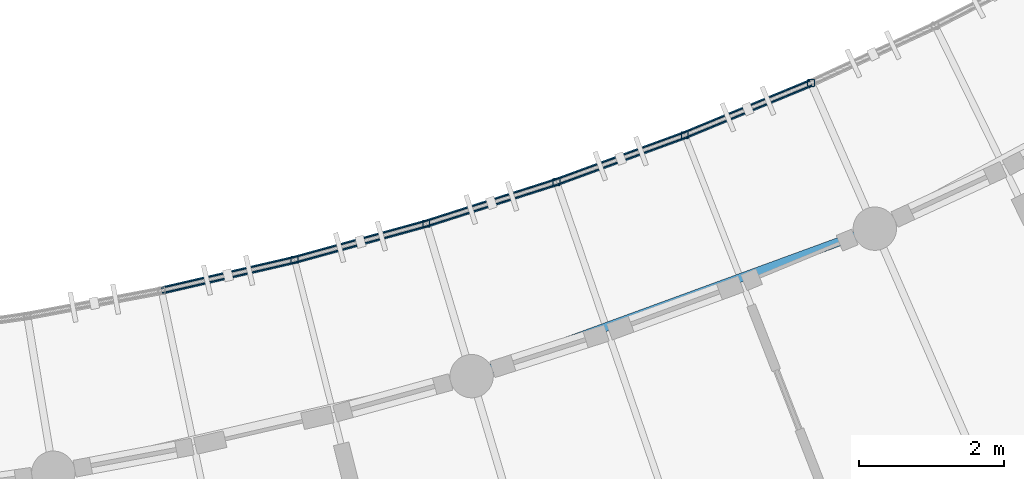
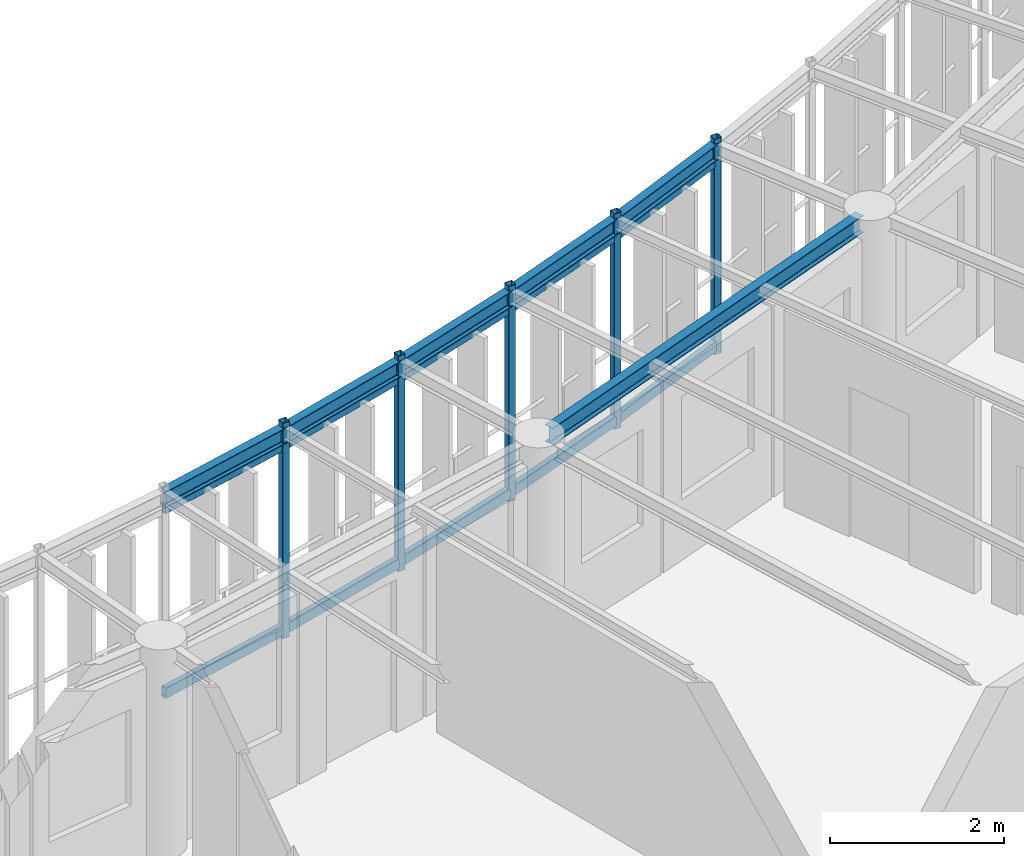
# One storey, part 20 of 100: 15 members, 6 beams.
"""IFC4 building model written with IfcOpenShell, lengths in metres."""

import ifcopenshell
import ifcopenshell.guid

model = None  # the IFC model being written
_history = None  # IfcOwnerHistory: only IFC2X3 demands one
_inside = {}  # id of a spatial element -> (the spatial element, [elements in it])
_under = {}  # id of a project, library or spatial element -> (it, [spatial elements below it])
_declared = {}  # id of a project -> (the project, [libraries it declares])
_typed = {}  # id of a type object -> (the type object, [elements of that type])
_made_of = {}  # id of a material, layer set ... -> (it, [elements and type objects made of it])


def new_model(schema):
    """Start an empty IFC model of exactly this schema.

    Asked for "IFC4X3", IfcOpenShell would pick the latest addendum, in which some entities
    have other attributes; the version numbers below select the first issue.
    IFC2X3 requires an IfcOwnerHistory on every rooted entity: one is made here for all.
    """
    global model, _history
    if schema == "IFC4X3":
        model = ifcopenshell.file(schema_version=(4, 3, 0, 0))
    else:
        model = ifcopenshell.file(schema=schema)
    _inside.clear()
    _under.clear()
    _declared.clear()
    _typed.clear()
    _made_of.clear()
    _history = None
    if model.schema == "IFC2X3":
        org = make("IfcOrganization", Name="unknown")
        user = make(
            "IfcPersonAndOrganization",
            ThePerson=make("IfcPerson", FamilyName="unknown"),
            TheOrganization=org,
        )
        app = make(
            "IfcApplication",
            ApplicationDeveloper=org,
            Version="unknown",
            ApplicationFullName="unknown",
            ApplicationIdentifier="unknown",
        )
        _history = make(
            "IfcOwnerHistory",
            OwningUser=user,
            OwningApplication=app,
            ChangeAction="ADDED",
            CreationDate=0,
        )
    return model


def make(cls, **values):
    """One entity of the class cls with the attributes given. An attribute that is None is left unset."""
    return model.create_entity(
        cls, **{name: value for name, value in values.items() if value is not None}
    )


def rooted(cls, **values):
    """An entity with a GlobalId (a new one), such as an element, a storey or a relation."""
    return make(cls, GlobalId=ifcopenshell.guid.new(), OwnerHistory=_history, **values)


def si_unit(unit_type, name, prefix=None):
    """IfcSIUnit, for example si_unit("LENGTHUNIT", "METRE", prefix="MILLI")."""
    return make("IfcSIUnit", UnitType=unit_type, Prefix=prefix, Name=name)


def assignment(units):
    """IfcUnitAssignment: the units of a project."""
    return None if units is None else make("IfcUnitAssignment", Units=units)


def point(xyz):
    """IfcCartesianPoint."""
    return None if xyz is None else make("IfcCartesianPoint", Coordinates=xyz)


def direction(xyz):
    """IfcDirection."""
    return None if xyz is None else make("IfcDirection", DirectionRatios=xyz)


def frame(location, z_axis=None, x_axis=None):
    """IfcAxis2Placement3D, a coordinate frame: its origin and axes. An axis left out is left unset."""
    return make(
        "IfcAxis2Placement3D",
        Location=point(location),
        Axis=direction(z_axis),
        RefDirection=direction(x_axis),
    )


def frame_2d(location, x_axis=None):
    """IfcAxis2Placement2D, a coordinate frame in the plane: its origin and x axis."""
    return make(
        "IfcAxis2Placement2D", Location=point(location), RefDirection=direction(x_axis)
    )


def origin():
    """The frame at (0, 0, 0) with its axes left unset."""
    return frame((0.0, 0.0, 0.0))


def origin_2d():
    """The frame at (0, 0) in the plane with its x axis left unset."""
    return frame_2d((0.0, 0.0))


def place(relative_to, where):
    """IfcLocalPlacement: puts the frame where relative to a parent placement (None: the world)."""
    return make(
        "IfcLocalPlacement", PlacementRelTo=relative_to, RelativePlacement=where
    )


def context(
    kind, dimensions, precision=None, world=None, true_north=None, identifier=None
):
    """IfcGeometricRepresentationContext, for example the 3D "Model" context."""
    return make(
        "IfcGeometricRepresentationContext",
        ContextIdentifier=identifier,
        ContextType=kind,
        CoordinateSpaceDimension=dimensions,
        Precision=precision,
        WorldCoordinateSystem=world,
        TrueNorth=true_north,
    )


def subcontext(parent, identifier, kind, view, scale=None):
    """IfcGeometricRepresentationSubContext, for example "Body" below "Model"."""
    return make(
        "IfcGeometricRepresentationSubContext",
        ContextIdentifier=identifier,
        ContextType=kind,
        ParentContext=parent,
        TargetScale=scale,
        TargetView=view,
    )


def project(units=None, contexts=None):
    """IfcProject with its units and contexts."""
    return rooted(
        "IfcProject",
        Name="project",
        RepresentationContexts=contexts,
        UnitsInContext=assignment(units),
    )


def spatial(cls, under=None, at=None, **own):
    """A site, building, storey or space (cls), placed at a placement, below another one or the project."""
    s = rooted(cls, ObjectPlacement=at, **own)
    if under is not None:
        _under.setdefault(under.id(), (under, []))[1].append(s)
    return s


def profile(cls, at=None, kind="AREA", **sizes):
    """A parametric profile (cls). Its sizes go by their IFC names, for example OverallWidth=200.0."""
    return make(cls, ProfileType=kind, Position=at, **sizes)


def hollow_rectangle(**sizes):
    """IfcRectangleHollowProfileDef."""
    return profile("IfcRectangleHollowProfileDef", **sizes)


def i_section(**sizes):
    """IfcIShapeProfileDef."""
    return profile("IfcIShapeProfileDef", **sizes)


def extrude(swept, where, along, depth):
    """IfcExtrudedAreaSolid: the profile swept, set in the frame where, extruded along a direction by depth."""
    return make(
        "IfcExtrudedAreaSolid",
        SweptArea=swept,
        Position=where,
        ExtrudedDirection=direction(along),
        Depth=depth,
    )


def shape(context_of_items, identifier, shape_type, items):
    """IfcShapeRepresentation: the items that make up one representation, for example the "Body"."""
    return make(
        "IfcShapeRepresentation",
        ContextOfItems=context_of_items,
        RepresentationIdentifier=identifier,
        RepresentationType=shape_type,
        Items=items,
    )


def material(Name=None, Category=None):
    """IfcMaterial."""
    return make("IfcMaterial", Name=Name, Category=Category)


def material_profile(
    of_material, cross_section, Name=None, Category=None, Priority=None
):
    """IfcMaterialProfile: a cross section and its material."""
    return make(
        "IfcMaterialProfile",
        Name=Name,
        Material=of_material,
        Profile=cross_section,
        Priority=Priority,
        Category=Category,
    )


def profile_set(profiles, Name=None, composite=None):
    """IfcMaterialProfileSet."""
    return make(
        "IfcMaterialProfileSet",
        Name=Name,
        MaterialProfiles=profiles,
        CompositeProfile=composite,
    )


def made_of(thing, what):
    """Note that an element or type object is made of a material, layer set ...; save() writes the relation."""
    if what is not None:
        _made_of.setdefault(what.id(), (what, []))[1].append(thing)
    return thing


def type_object(cls, material=None, **own):
    """A type object (cls), such as IfcWallType, which elements share."""
    return made_of(rooted(cls, **own), material)


def element(
    cls,
    number,
    at=None,
    inside=None,
    cuts=None,
    type_object=None,
    material=None,
    context=None,
    identifier="Body",
    shape_type=None,
    held_by="IfcProductDefinitionShape",
    body=None,
    shapes=None,
    **own,
):
    """One element of the class cls, such as IfcWall. Its Tag is "e" and its number.

    at: its placement. inside: the storey or other place that contains it. cuts: it is an
    opening in that element (IfcRelVoidsElement). A single representation is given by context,
    identifier, shape_type and body (its items); several are given by shapes. held_by: the class
    of the entity that holds the representations. save() writes the other relations.
    """
    e = rooted(cls, Tag="e%d" % number, ObjectPlacement=at, **own)
    if body is not None:
        shapes = [shape(context, identifier, shape_type, body)]
    if shapes is not None:
        e.Representation = make(held_by, Representations=shapes)
    if inside is not None:
        _inside.setdefault(inside.id(), (inside, []))[1].append(e)
    if cuts is not None:
        rooted(
            "IfcRelVoidsElement", RelatingBuildingElement=cuts, RelatedOpeningElement=e
        )
    if type_object is not None:
        _typed.setdefault(type_object.id(), (type_object, []))[1].append(e)
    return made_of(e, material)


def aggregate(whole, parts):
    """IfcRelAggregates: a whole, such as a stair, and the parts it consists of."""
    return rooted("IfcRelAggregates", RelatingObject=whole, RelatedObjects=parts)


def save(model, path):
    """Write the relations noted so far, then the file.

    IfcRelAggregates (storeys below a building ...), IfcRelContainedInSpatialStructure (elements
    in a storey), IfcRelDefinesByType, IfcRelAssociatesMaterial and IfcRelDeclares: one each for
    every whole, place, type object, material and project.
    """
    for whole, parts in _under.values():
        aggregate(whole, parts)
    for where, things in _inside.values():
        rooted(
            "IfcRelContainedInSpatialStructure",
            RelatedElements=things,
            RelatingStructure=where,
        )
    for kind, things in _typed.values():
        rooted("IfcRelDefinesByType", RelatedObjects=things, RelatingType=kind)
    for what, things in _made_of.values():
        rooted("IfcRelAssociatesMaterial", RelatedObjects=things, RelatingMaterial=what)
    for by, libraries in _declared.values():
        rooted("IfcRelDeclares", RelatingContext=by, RelatedDefinitions=libraries)
    model.write(path)


model = new_model("IFC4")

# Units and contexts
model_context = context("Model", 3, precision=1e-05, world=origin(), true_north=direction((0.0, 1.0)))
body_context = subcontext(model_context, "Body", "Model", "MODEL_VIEW")
ifc_project = project(units=[si_unit("LENGTHUNIT", "METRE"), si_unit("AREAUNIT", "SQUARE_METRE"), si_unit("VOLUMEUNIT", "CUBIC_METRE"), si_unit("PLANEANGLEUNIT", "RADIAN"), si_unit("MASSUNIT", "GRAM", prefix="KILO"), si_unit("POWERUNIT", "WATT"), si_unit("THERMODYNAMICTEMPERATUREUNIT", "KELVIN")], contexts=[model_context])

# Site, building, storey
site_placement = place(None, origin())
site = spatial("IfcSite", under=ifc_project, at=site_placement, CompositionType="ELEMENT")
building_placement = place(site_placement, origin())
building = spatial("IfcBuilding", under=site, at=building_placement, Name="Ruvembo Vaulted Housing Court", CompositionType="ELEMENT")
storey_placement = place(building_placement, frame((0.0, 0.0, 14.10009765625)))
storey = spatial("IfcBuildingStorey", under=building, at=storey_placement, Name="L04", CompositionType="ELEMENT", Elevation=14.10009765625)

# Beams
ifc_material = material(Name="Steel S355J2", Category="steel")
ifc_material_profile_1 = material_profile(ifc_material, i_section(OverallWidth=0.110107421875, OverallDepth=0.219970703125, WebThickness=0.005859375, FlangeThickness=0.00927734375, FilletRadius=0.011962890625, at=origin_2d()), Name="IPE 220")
ifc_profile_set_1 = profile_set([ifc_material_profile_1], Name="Steel S355J2")
beam_type_1 = type_object("IfcBeamType", Name="BM-ST-IPE220", PredefinedType="SPANDREL", material=ifc_profile_set_1)
beam_1_placement = place(storey_placement, frame((78.380126953125, 17.1708984375, 2.829833984375), z_axis=(0.974391195695, 0.224859506699, 0.0), x_axis=(-0.224859506699, 0.974391195695, 0.0)))
element("IfcBeam", 1, at=beam_1_placement, inside=storey, type_object=beam_type_1, Name="Scoop SC2 L04 Balcony Edge Spandrel 19", PredefinedType="SPANDREL", context=body_context, shape_type="SweptSolid", body=[
    extrude(i_section(OverallWidth=0.110107421875, OverallDepth=0.219970703125, WebThickness=0.005859375, FlangeThickness=0.00927734375, FilletRadius=0.011962890625, at=origin_2d()), origin(), (0.0, 0.0, 1.0), 1.88916015625),
])
beam_2_placement = place(storey_placement, frame((80.220947265625, 17.595703125, 2.829833984375), z_axis=(0.964240073493, 0.26503033915, 0.0), x_axis=(-0.26503033915, 0.964240073493, 0.0)))
element("IfcBeam", 2, at=beam_2_placement, inside=storey, type_object=beam_type_1, Name="Scoop SC2 L04 Balcony Edge Spandrel 20", PredefinedType="SPANDREL", context=body_context, shape_type="SweptSolid", body=[
    extrude(i_section(OverallWidth=0.110107421875, OverallDepth=0.219970703125, WebThickness=0.005859375, FlangeThickness=0.00927734375, FilletRadius=0.011962890625, at=origin_2d()), origin(), (0.0, 0.0, 1.0), 1.889404296875),
])
beam_3_placement = place(storey_placement, frame((82.042724609375, 18.096435546875, 2.829833984375), z_axis=(0.952526124364, 0.304456864605, 0.0), x_axis=(-0.304456864605, 0.952526124364, 0.0)))
element("IfcBeam", 3, at=beam_3_placement, inside=storey, type_object=beam_type_1, Name="Scoop SC2 L04 Balcony Edge Spandrel 21", PredefinedType="SPANDREL", context=body_context, shape_type="SweptSolid", body=[
    extrude(i_section(OverallWidth=0.110107421875, OverallDepth=0.219970703125, WebThickness=0.005859375, FlangeThickness=0.00927734375, FilletRadius=0.011962890625, at=origin_2d()), origin(), (0.0, 0.0, 1.0), 1.88916015625),
])
beam_4_placement = place(storey_placement, frame((83.84228515625, 18.671630859375, 2.829833984375), z_axis=(0.939165556371, 0.343464783824, 0.0), x_axis=(-0.343464783824, 0.939165556371, 0.0)))
element("IfcBeam", 4, at=beam_4_placement, inside=storey, type_object=beam_type_1, Name="Scoop SC2 L04 Balcony Edge Spandrel 22", PredefinedType="SPANDREL", context=body_context, shape_type="SweptSolid", body=[
    extrude(i_section(OverallWidth=0.110107421875, OverallDepth=0.219970703125, WebThickness=0.005859375, FlangeThickness=0.00927734375, FilletRadius=0.011962890625, at=origin_2d()), origin(), (0.0, 0.0, 1.0), 1.889404296875),
])
beam_5_placement = place(storey_placement, frame((85.61669921875, 19.320556640625, 2.829833984375), z_axis=(0.924155321549, 0.38201693896, 0.0), x_axis=(-0.38201693896, 0.924155321549, 0.0)))
element("IfcBeam", 5, at=beam_5_placement, inside=storey, type_object=beam_type_1, Name="Scoop SC2 L04 Balcony Edge Spandrel 23", PredefinedType="SPANDREL", context=body_context, shape_type="SweptSolid", body=[
    extrude(i_section(OverallWidth=0.110107421875, OverallDepth=0.219970703125, WebThickness=0.005859375, FlangeThickness=0.00927734375, FilletRadius=0.011962890625, at=origin_2d()), origin(), (0.0, 0.0, 1.0), 1.88916015625),
])
ifc_material_profile_2 = material_profile(ifc_material, i_section(OverallWidth=0.1201171875, OverallDepth=0.239990234375, WebThickness=0.006103515625, FlangeThickness=0.009765625, FilletRadius=0.014892578125, at=origin_2d()), Name="IPE 240")
ifc_profile_set_2 = profile_set([ifc_material_profile_2], Name="Steel S355J2")
beam_type_2 = type_object("IfcBeamType", Name="BM-ST-IPE240", PredefinedType="BEAM", material=ifc_profile_set_2)
beam_6_placement = place(storey_placement, frame((82.84765625, 16.052734375, 2.822021484375), z_axis=(0.939158115171, 0.343485130259, 0.0), x_axis=(-0.343485130259, 0.939158115171, 0.0)))
element("IfcBeam", 6, at=beam_6_placement, inside=storey, type_object=beam_type_2, Name="Scoop SC2 L04 Chord Girder F21", PredefinedType="BEAM", context=body_context, shape_type="SweptSolid", body=[
    extrude(i_section(OverallWidth=0.1201171875, OverallDepth=0.239990234375, WebThickness=0.006103515625, FlangeThickness=0.009765625, FilletRadius=0.014892578125, at=origin_2d()), origin(), (0.0, 0.0, 1.0), 5.556884765625),
])

# Members
ifc_material_profile_3 = material_profile(ifc_material, hollow_rectangle(XDim=0.06005859375, YDim=0.1201171875, WallThickness=0.0048828125, InnerFilletRadius=0.0048828125, OuterFilletRadius=0.010009765625, at=origin_2d()), Name="RHS 120x60x5")
ifc_profile_set_3 = profile_set([ifc_material_profile_3], Name="Steel S355J2")
member_type_1 = type_object("IfcMemberType", Name="MEM-CAR-RHS120", PredefinedType="CHORD", material=ifc_profile_set_3)
member_1_placement = place(storey_placement, frame((78.380126953125, 17.1708984375, 2.662841796875), z_axis=(0.974391195695, 0.224859506699, 0.0), x_axis=(-0.224859506699, 0.974391195695, 0.0)))
element("IfcMember", 7, at=member_1_placement, inside=storey, type_object=member_type_1, Name="Scoop SC2 L04 Upper Louvre Carrier Rail 19", PredefinedType="CHORD", context=body_context, shape_type="SweptSolid", body=[
    extrude(hollow_rectangle(XDim=0.06005859375, YDim=0.1201171875, WallThickness=0.0048828125, InnerFilletRadius=0.0048828125, OuterFilletRadius=0.010009765625, at=origin_2d()), origin(), (0.0, 0.0, 1.0), 1.88916015625),
])
member_2_placement = place(storey_placement, frame((80.220947265625, 17.595703125, 2.662841796875), z_axis=(0.964240073493, 0.26503033915, 0.0), x_axis=(-0.26503033915, 0.964240073493, 0.0)))
element("IfcMember", 8, at=member_2_placement, inside=storey, type_object=member_type_1, Name="Scoop SC2 L04 Upper Louvre Carrier Rail 20", PredefinedType="CHORD", context=body_context, shape_type="SweptSolid", body=[
    extrude(hollow_rectangle(XDim=0.06005859375, YDim=0.1201171875, WallThickness=0.0048828125, InnerFilletRadius=0.0048828125, OuterFilletRadius=0.010009765625, at=origin_2d()), origin(), (0.0, 0.0, 1.0), 1.889404296875),
])
member_3_placement = place(storey_placement, frame((82.042724609375, 18.096435546875, 2.662841796875), z_axis=(0.952526124364, 0.304456864605, 0.0), x_axis=(-0.304456864605, 0.952526124364, 0.0)))
element("IfcMember", 9, at=member_3_placement, inside=storey, type_object=member_type_1, Name="Scoop SC2 L04 Upper Louvre Carrier Rail 21", PredefinedType="CHORD", context=body_context, shape_type="SweptSolid", body=[
    extrude(hollow_rectangle(XDim=0.06005859375, YDim=0.1201171875, WallThickness=0.0048828125, InnerFilletRadius=0.0048828125, OuterFilletRadius=0.010009765625, at=origin_2d()), origin(), (0.0, 0.0, 1.0), 1.88916015625),
])
member_4_placement = place(storey_placement, frame((83.84228515625, 18.671630859375, 2.662841796875), z_axis=(0.939165556371, 0.343464783824, 0.0), x_axis=(-0.343464783824, 0.939165556371, 0.0)))
element("IfcMember", 10, at=member_4_placement, inside=storey, type_object=member_type_1, Name="Scoop SC2 L04 Upper Louvre Carrier Rail 22", PredefinedType="CHORD", context=body_context, shape_type="SweptSolid", body=[
    extrude(hollow_rectangle(XDim=0.06005859375, YDim=0.1201171875, WallThickness=0.0048828125, InnerFilletRadius=0.0048828125, OuterFilletRadius=0.010009765625, at=origin_2d()), origin(), (0.0, 0.0, 1.0), 1.889404296875),
])
member_5_placement = place(storey_placement, frame((85.61669921875, 19.320556640625, 2.662841796875), z_axis=(0.924155321549, 0.38201693896, 0.0), x_axis=(-0.38201693896, 0.924155321549, 0.0)))
element("IfcMember", 11, at=member_5_placement, inside=storey, type_object=member_type_1, Name="Scoop SC2 L04 Upper Louvre Carrier Rail 23", PredefinedType="CHORD", context=body_context, shape_type="SweptSolid", body=[
    extrude(hollow_rectangle(XDim=0.06005859375, YDim=0.1201171875, WallThickness=0.0048828125, InnerFilletRadius=0.0048828125, OuterFilletRadius=0.010009765625, at=origin_2d()), origin(), (0.0, 0.0, 1.0), 1.88916015625),
])
ifc_material_profile_4 = material_profile(ifc_material, hollow_rectangle(XDim=0.080078125, YDim=0.14990234375, WallThickness=0.00634765625, InnerFilletRadius=0.00634765625, OuterFilletRadius=0.0126953125, at=origin_2d()), Name="RHS 150x80x6.3")
ifc_profile_set_4 = profile_set([ifc_material_profile_4], Name="Steel S355J2")
member_type_2 = type_object("IfcMemberType", Name="MEM-CAR-RHS150", PredefinedType="CHORD", material=ifc_profile_set_4)
member_6_placement = place(storey_placement, frame((78.380126953125, 17.1708984375, 0.094970703125), z_axis=(0.974391195695, 0.224859506699, 0.0), x_axis=(-0.224859506699, 0.974391195695, 0.0)))
element("IfcMember", 12, at=member_6_placement, inside=storey, type_object=member_type_2, Name="Scoop SC2 L04 Lower Louvre Carrier Rail 19", PredefinedType="CHORD", context=body_context, shape_type="SweptSolid", body=[
    extrude(hollow_rectangle(XDim=0.080078125, YDim=0.14990234375, WallThickness=0.00634765625, InnerFilletRadius=0.00634765625, OuterFilletRadius=0.0126953125, at=origin_2d()), origin(), (0.0, 0.0, 1.0), 1.88916015625),
])
member_7_placement = place(storey_placement, frame((80.220947265625, 17.595703125, 0.094970703125), z_axis=(0.964240073493, 0.26503033915, 0.0), x_axis=(-0.26503033915, 0.964240073493, 0.0)))
element("IfcMember", 13, at=member_7_placement, inside=storey, type_object=member_type_2, Name="Scoop SC2 L04 Lower Louvre Carrier Rail 20", PredefinedType="CHORD", context=body_context, shape_type="SweptSolid", body=[
    extrude(hollow_rectangle(XDim=0.080078125, YDim=0.14990234375, WallThickness=0.00634765625, InnerFilletRadius=0.00634765625, OuterFilletRadius=0.0126953125, at=origin_2d()), origin(), (0.0, 0.0, 1.0), 1.889404296875),
])
member_8_placement = place(storey_placement, frame((82.042724609375, 18.096435546875, 0.094970703125), z_axis=(0.952526124364, 0.304456864605, 0.0), x_axis=(-0.304456864605, 0.952526124364, 0.0)))
element("IfcMember", 14, at=member_8_placement, inside=storey, type_object=member_type_2, Name="Scoop SC2 L04 Lower Louvre Carrier Rail 21", PredefinedType="CHORD", context=body_context, shape_type="SweptSolid", body=[
    extrude(hollow_rectangle(XDim=0.080078125, YDim=0.14990234375, WallThickness=0.00634765625, InnerFilletRadius=0.00634765625, OuterFilletRadius=0.0126953125, at=origin_2d()), origin(), (0.0, 0.0, 1.0), 1.88916015625),
])
member_9_placement = place(storey_placement, frame((83.84228515625, 18.671630859375, 0.094970703125), z_axis=(0.939165556371, 0.343464783824, 0.0), x_axis=(-0.343464783824, 0.939165556371, 0.0)))
element("IfcMember", 15, at=member_9_placement, inside=storey, type_object=member_type_2, Name="Scoop SC2 L04 Lower Louvre Carrier Rail 22", PredefinedType="CHORD", context=body_context, shape_type="SweptSolid", body=[
    extrude(hollow_rectangle(XDim=0.080078125, YDim=0.14990234375, WallThickness=0.00634765625, InnerFilletRadius=0.00634765625, OuterFilletRadius=0.0126953125, at=origin_2d()), origin(), (0.0, 0.0, 1.0), 1.889404296875),
])
member_10_placement = place(storey_placement, frame((85.61669921875, 19.320556640625, 0.094970703125), z_axis=(0.924155321549, 0.38201693896, 0.0), x_axis=(-0.38201693896, 0.924155321549, 0.0)))
element("IfcMember", 16, at=member_10_placement, inside=storey, type_object=member_type_2, Name="Scoop SC2 L04 Lower Louvre Carrier Rail 23", PredefinedType="CHORD", context=body_context, shape_type="SweptSolid", body=[
    extrude(hollow_rectangle(XDim=0.080078125, YDim=0.14990234375, WallThickness=0.00634765625, InnerFilletRadius=0.00634765625, OuterFilletRadius=0.0126953125, at=origin_2d()), origin(), (0.0, 0.0, 1.0), 1.88916015625),
])
ifc_material_profile_5 = material_profile(ifc_material, hollow_rectangle(XDim=0.10009765625, YDim=0.10009765625, WallThickness=0.00634765625, InnerFilletRadius=0.00634765625, OuterFilletRadius=0.0126953125, at=origin_2d()), Name="SHS 100x100x6.3")
ifc_profile_set_5 = profile_set([ifc_material_profile_5], Name="Steel S355J2")
member_type_3 = type_object("IfcMemberType", Name="MEM-FRM-SHS100", PredefinedType="STRUT", material=ifc_profile_set_5)
for number, where, z_axis, x_axis, name in (
    (17, (80.220947265625, 17.595703125, -0.01513671875), (0.0, 0.0, 1.0), (1.0, 0.0, 0.0), "Scoop SC2 L04 Louvre Frame Post 20"),
    (18, (82.042724609375, 18.096435546875, -0.01513671875), (0.0, 0.0, 1.0), (1.0, 0.0, 0.0), "Scoop SC2 L04 Louvre Frame Post 21"),
    (19, (83.84228515625, 18.671630859375, -0.01513671875), (0.0, 0.0, 1.0), (1.0, 0.0, 0.0), "Scoop SC2 L04 Louvre Frame Post 22"),
    (20, (85.61669921875, 19.320556640625, -0.01513671875), (0.0, 0.0, 1.0), (1.0, 0.0, 0.0), "Scoop SC2 L04 Louvre Frame Post 23"),
    (21, (87.362548828125, 20.042236328125, -0.01513671875), (0.0, 0.0, 1.0), (1.0, 0.0, 0.0), "Scoop SC2 L04 Louvre Frame Post 24"),
):
    element("IfcMember", number, at=place(storey_placement, frame(where, z_axis=z_axis, x_axis=x_axis)), inside=storey, type_object=member_type_3, Name=name, PredefinedType="STRUT", context=body_context, shape_type="SweptSolid", body=[
        extrude(hollow_rectangle(XDim=0.10009765625, YDim=0.10009765625, WallThickness=0.00634765625, InnerFilletRadius=0.00634765625, OuterFilletRadius=0.0126953125, at=origin_2d()), origin(), (0.0, 0.0, 1.0), 3.02294921875),
    ])

save(model, "model.ifc")
